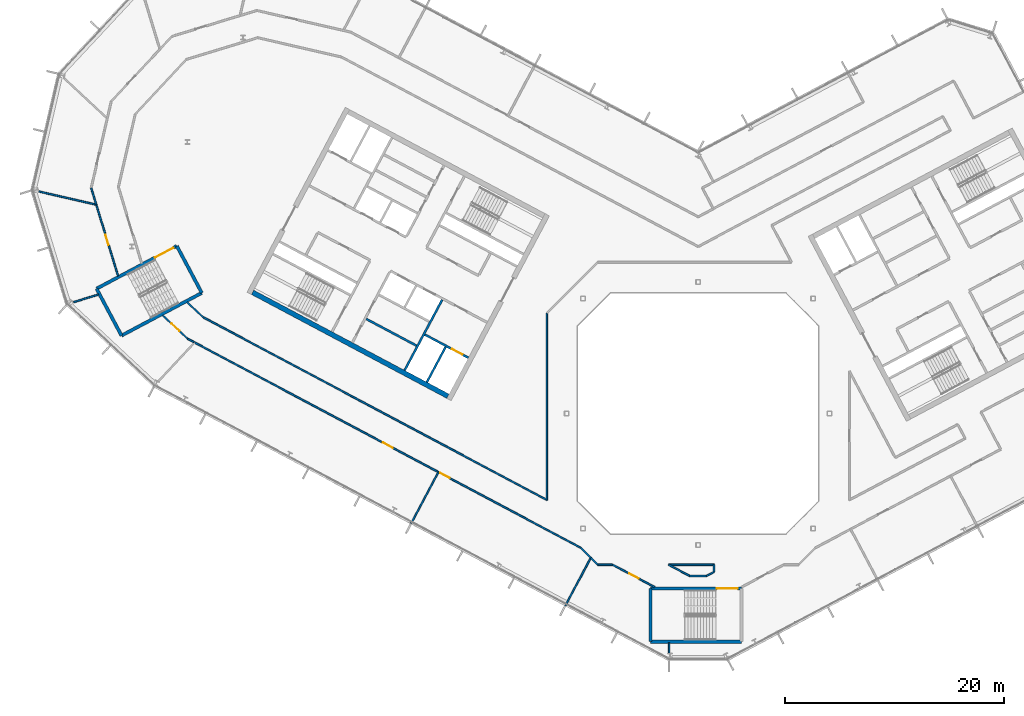
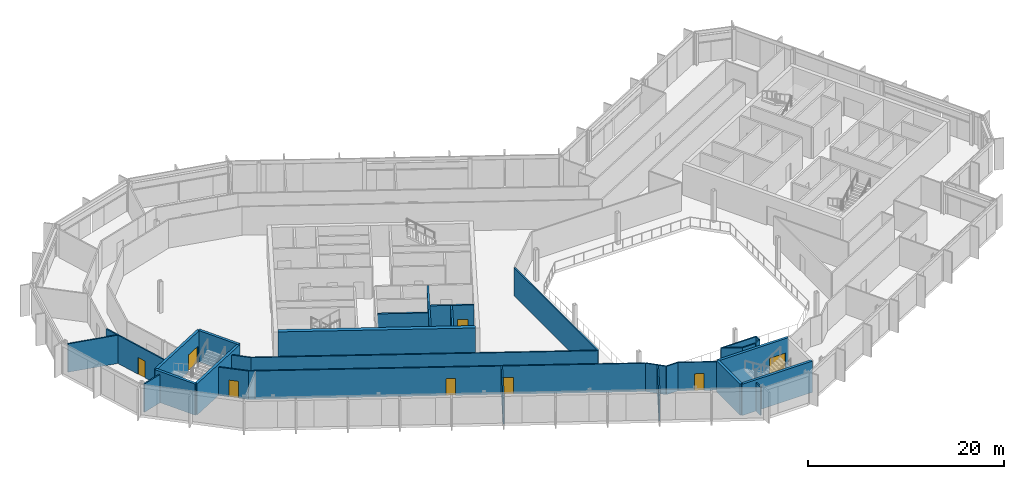
# One storey, part 13 of 26: 34 walls, 8 doors, 8 openings.
"""IFC4 building model written with IfcOpenShell, lengths in metres."""

import ifcopenshell
import ifcopenshell.guid

model = None  # the IFC model being written
_history = None  # IfcOwnerHistory: only IFC2X3 demands one
_inside = {}  # id of a spatial element -> (the spatial element, [elements in it])
_under = {}  # id of a project, library or spatial element -> (it, [spatial elements below it])
_declared = {}  # id of a project -> (the project, [libraries it declares])
_typed = {}  # id of a type object -> (the type object, [elements of that type])
_made_of = {}  # id of a material, layer set ... -> (it, [elements and type objects made of it])


def new_model(schema):
    """Start an empty IFC model of exactly this schema.

    Asked for "IFC4X3", IfcOpenShell would pick the latest addendum, in which some entities
    have other attributes; the version numbers below select the first issue.
    IFC2X3 requires an IfcOwnerHistory on every rooted entity: one is made here for all.
    """
    global model, _history
    if schema == "IFC4X3":
        model = ifcopenshell.file(schema_version=(4, 3, 0, 0))
    else:
        model = ifcopenshell.file(schema=schema)
    _inside.clear()
    _under.clear()
    _declared.clear()
    _typed.clear()
    _made_of.clear()
    _history = None
    if model.schema == "IFC2X3":
        org = make("IfcOrganization", Name="unknown")
        user = make(
            "IfcPersonAndOrganization",
            ThePerson=make("IfcPerson", FamilyName="unknown"),
            TheOrganization=org,
        )
        app = make(
            "IfcApplication",
            ApplicationDeveloper=org,
            Version="unknown",
            ApplicationFullName="unknown",
            ApplicationIdentifier="unknown",
        )
        _history = make(
            "IfcOwnerHistory",
            OwningUser=user,
            OwningApplication=app,
            ChangeAction="ADDED",
            CreationDate=0,
        )
    return model


def make(cls, **values):
    """One entity of the class cls with the attributes given. An attribute that is None is left unset."""
    return model.create_entity(
        cls, **{name: value for name, value in values.items() if value is not None}
    )


def rooted(cls, **values):
    """An entity with a GlobalId (a new one), such as an element, a storey or a relation."""
    return make(cls, GlobalId=ifcopenshell.guid.new(), OwnerHistory=_history, **values)


def si_unit(unit_type, name, prefix=None):
    """IfcSIUnit, for example si_unit("LENGTHUNIT", "METRE", prefix="MILLI")."""
    return make("IfcSIUnit", UnitType=unit_type, Prefix=prefix, Name=name)


def assignment(units):
    """IfcUnitAssignment: the units of a project."""
    return None if units is None else make("IfcUnitAssignment", Units=units)


def point(xyz):
    """IfcCartesianPoint."""
    return None if xyz is None else make("IfcCartesianPoint", Coordinates=xyz)


def direction(xyz):
    """IfcDirection."""
    return None if xyz is None else make("IfcDirection", DirectionRatios=xyz)


def frame(location, z_axis=None, x_axis=None):
    """IfcAxis2Placement3D, a coordinate frame: its origin and axes. An axis left out is left unset."""
    return make(
        "IfcAxis2Placement3D",
        Location=point(location),
        Axis=direction(z_axis),
        RefDirection=direction(x_axis),
    )


def frame_2d(location, x_axis=None):
    """IfcAxis2Placement2D, a coordinate frame in the plane: its origin and x axis."""
    return make(
        "IfcAxis2Placement2D", Location=point(location), RefDirection=direction(x_axis)
    )


def origin():
    """The frame at (0, 0, 0) with its axes left unset."""
    return frame((0.0, 0.0, 0.0))


def place(relative_to, where):
    """IfcLocalPlacement: puts the frame where relative to a parent placement (None: the world)."""
    return make(
        "IfcLocalPlacement", PlacementRelTo=relative_to, RelativePlacement=where
    )


def context(
    kind, dimensions, precision=None, world=None, true_north=None, identifier=None
):
    """IfcGeometricRepresentationContext, for example the 3D "Model" context."""
    return make(
        "IfcGeometricRepresentationContext",
        ContextIdentifier=identifier,
        ContextType=kind,
        CoordinateSpaceDimension=dimensions,
        Precision=precision,
        WorldCoordinateSystem=world,
        TrueNorth=true_north,
    )


def subcontext(parent, identifier, kind, view, scale=None):
    """IfcGeometricRepresentationSubContext, for example "Body" below "Model"."""
    return make(
        "IfcGeometricRepresentationSubContext",
        ContextIdentifier=identifier,
        ContextType=kind,
        ParentContext=parent,
        TargetScale=scale,
        TargetView=view,
    )


def project(units=None, contexts=None):
    """IfcProject with its units and contexts."""
    return rooted(
        "IfcProject",
        Name="project",
        RepresentationContexts=contexts,
        UnitsInContext=assignment(units),
    )


def spatial(cls, under=None, at=None, **own):
    """A site, building, storey or space (cls), placed at a placement, below another one or the project."""
    s = rooted(cls, ObjectPlacement=at, **own)
    if under is not None:
        _under.setdefault(under.id(), (under, []))[1].append(s)
    return s


def profile(cls, at=None, kind="AREA", **sizes):
    """A parametric profile (cls). Its sizes go by their IFC names, for example OverallWidth=200.0."""
    return make(cls, ProfileType=kind, Position=at, **sizes)


def rectangle(**sizes):
    """IfcRectangleProfileDef."""
    return profile("IfcRectangleProfileDef", **sizes)


def extrude(swept, where, along, depth):
    """IfcExtrudedAreaSolid: the profile swept, set in the frame where, extruded along a direction by depth."""
    return make(
        "IfcExtrudedAreaSolid",
        SweptArea=swept,
        Position=where,
        ExtrudedDirection=direction(along),
        Depth=depth,
    )


def shape(context_of_items, identifier, shape_type, items):
    """IfcShapeRepresentation: the items that make up one representation, for example the "Body"."""
    return make(
        "IfcShapeRepresentation",
        ContextOfItems=context_of_items,
        RepresentationIdentifier=identifier,
        RepresentationType=shape_type,
        Items=items,
    )


def material(Name=None, Category=None):
    """IfcMaterial."""
    return make("IfcMaterial", Name=Name, Category=Category)


def layer(
    of_material, thickness, ventilated=None, Name=None, Category=None, Priority=None
):
    """IfcMaterialLayer: one layer of a wall or slab, of a material (None: an air gap)."""
    return make(
        "IfcMaterialLayer",
        Material=of_material,
        LayerThickness=thickness,
        IsVentilated=ventilated,
        Name=Name,
        Category=Category,
        Priority=Priority,
    )


def layer_set(layers, Name=None):
    """IfcMaterialLayerSet."""
    return make("IfcMaterialLayerSet", MaterialLayers=layers, LayerSetName=Name)


def made_of(thing, what):
    """Note that an element or type object is made of a material, layer set ...; save() writes the relation."""
    if what is not None:
        _made_of.setdefault(what.id(), (what, []))[1].append(thing)
    return thing


def type_object(cls, material=None, **own):
    """A type object (cls), such as IfcWallType, which elements share."""
    return made_of(rooted(cls, **own), material)


def element(
    cls,
    number,
    at=None,
    inside=None,
    cuts=None,
    type_object=None,
    material=None,
    context=None,
    identifier="Body",
    shape_type=None,
    held_by="IfcProductDefinitionShape",
    body=None,
    shapes=None,
    **own,
):
    """One element of the class cls, such as IfcWall. Its Tag is "e" and its number.

    at: its placement. inside: the storey or other place that contains it. cuts: it is an
    opening in that element (IfcRelVoidsElement). A single representation is given by context,
    identifier, shape_type and body (its items); several are given by shapes. held_by: the class
    of the entity that holds the representations. save() writes the other relations.
    """
    e = rooted(cls, Tag="e%d" % number, ObjectPlacement=at, **own)
    if body is not None:
        shapes = [shape(context, identifier, shape_type, body)]
    if shapes is not None:
        e.Representation = make(held_by, Representations=shapes)
    if inside is not None:
        _inside.setdefault(inside.id(), (inside, []))[1].append(e)
    if cuts is not None:
        rooted(
            "IfcRelVoidsElement", RelatingBuildingElement=cuts, RelatedOpeningElement=e
        )
    if type_object is not None:
        _typed.setdefault(type_object.id(), (type_object, []))[1].append(e)
    return made_of(e, material)


def fill(opening, filler):
    """IfcRelFillsElement: the door or window that sits in an opening."""
    return rooted(
        "IfcRelFillsElement",
        RelatingOpeningElement=opening,
        RelatedBuildingElement=filler,
    )


def aggregate(whole, parts):
    """IfcRelAggregates: a whole, such as a stair, and the parts it consists of."""
    return rooted("IfcRelAggregates", RelatingObject=whole, RelatedObjects=parts)


def save(model, path):
    """Write the relations noted so far, then the file.

    IfcRelAggregates (storeys below a building ...), IfcRelContainedInSpatialStructure (elements
    in a storey), IfcRelDefinesByType, IfcRelAssociatesMaterial and IfcRelDeclares: one each for
    every whole, place, type object, material and project.
    """
    for whole, parts in _under.values():
        aggregate(whole, parts)
    for where, things in _inside.values():
        rooted(
            "IfcRelContainedInSpatialStructure",
            RelatedElements=things,
            RelatingStructure=where,
        )
    for kind, things in _typed.values():
        rooted("IfcRelDefinesByType", RelatedObjects=things, RelatingType=kind)
    for what, things in _made_of.values():
        rooted("IfcRelAssociatesMaterial", RelatedObjects=things, RelatingMaterial=what)
    for by, libraries in _declared.values():
        rooted("IfcRelDeclares", RelatingContext=by, RelatedDefinitions=libraries)
    model.write(path)


model = new_model("IFC4")

# Units and contexts
model_context = context("Model", 3, precision=1e-05, world=origin(), true_north=direction((0.0, 1.0)))
body_context = subcontext(model_context, "Body", "Model", "MODEL_VIEW")
ifc_project = project(units=[si_unit("LENGTHUNIT", "METRE"), si_unit("AREAUNIT", "SQUARE_METRE"), si_unit("VOLUMEUNIT", "CUBIC_METRE"), si_unit("PLANEANGLEUNIT", "RADIAN"), si_unit("MASSUNIT", "GRAM", prefix="KILO")], contexts=[model_context])

# Site, building, storey
site_placement = place(None, origin())
site = spatial("IfcSite", under=ifc_project, at=site_placement, CompositionType="ELEMENT")
building_placement = place(site_placement, origin())
building = spatial("IfcBuilding", under=site, at=building_placement, Name="Cormorant Relay Tower", CompositionType="ELEMENT")
storey_placement = place(building_placement, frame((0.0, 0.0, 312.60009765625)))
storey = spatial("IfcBuildingStorey", under=building, at=storey_placement, Name="L71", CompositionType="ELEMENT", Elevation=312.60009765625)

# Walls
ifc_material_1 = material(Name="Concrete 40 MPa", Category="concrete")
ifc_layer_1 = layer(ifc_material_1, 0.199951171875)
ifc_layer_set_1 = layer_set([ifc_layer_1], Name="Core internal wall 200")
wall_type_1 = type_object("IfcWallType", Name="Core internal wall 200", PredefinedType="SOLIDWALL", material=ifc_layer_set_1)
wall_1_placement = place(storey_placement, frame((-25.701904296875, 6.19091796875, 0.0), z_axis=(0.0, 0.0, 1.0), x_axis=(-0.882934506056, 0.469496174655, 0.0)))
element("IfcWall", 1, at=wall_1_placement, inside=storey, type_object=wall_type_1, Name="L71 core A shaft and room wall", PredefinedType="SOLIDWALL", context=body_context, shape_type="SweptSolid", body=[
    extrude(rectangle(XDim=5.199951171875, YDim=0.199951171875, at=frame_2d((2.60009765625, 0.0))), origin(), (0.0, 0.0, 1.0), 3.89990234375),
])
ifc_material_2 = material(Name="Concrete 50 MPa", Category="concrete")
ifc_layer_2 = layer(ifc_material_2, 0.199951171875)
ifc_layer_set_2 = layer_set([ifc_layer_2], Name="Core shaft wall 200")
wall_type_2 = type_object("IfcWallType", Name="Core shaft wall 200", PredefinedType="SHEAR", material=ifc_layer_set_2)
wall_2_placement = place(storey_placement, frame((-23.04296875, 6.07958984375, 0.0), z_axis=(0.0, 0.0, 1.0), x_axis=(-0.469494272526, -0.882935517501, 0.0)))
element("IfcWall", 2, at=wall_2_placement, inside=storey, type_object=wall_type_2, Name="L71 core A shaft wall", PredefinedType="SHEAR", context=body_context, shape_type="SweptSolid", body=[
    extrude(rectangle(XDim=3.64990234375, YDim=0.199951171875, at=frame_2d((1.824951171875, 0.0))), origin(), (0.0, 0.0, 1.0), 3.89990234375),
])
wall_3_placement = place(storey_placement, frame((-23.360107421875, 10.38232421875, 0.0), z_axis=(0.0, 0.0, 1.0), x_axis=(-0.469480409012, -0.88294288918, 0.0)))
element("IfcWall", 3, at=wall_3_placement, inside=storey, type_object=wall_type_2, Name="L71 core A shaft wall", PredefinedType="SHEAR", context=body_context, shape_type="SweptSolid", body=[
    extrude(rectangle(XDim=7.300048828125, YDim=0.199951171875, at=frame_2d((3.64990234375, 0.0))), origin(), (0.0, 0.0, 1.0), 3.89990234375),
])

# Wall, opening, door
wall_4_placement = place(storey_placement, frame((-20.96533203125, 5.088134765625, 0.0), z_axis=(0.0, 0.0, 1.0), x_axis=(-0.882925986334, 0.469512196493, 0.0)))
wall_4 = element("IfcWall", 4, at=wall_4_placement, inside=storey, type_object=wall_type_2, Name="L71 core A shaft wall", PredefinedType="SHEAR", context=body_context, shape_type="SweptSolid", body=[
    extrude(rectangle(XDim=4.5, YDim=0.199951171875, at=frame_2d((2.25, 0.0))), origin(), (0.0, 0.0, 1.0), 3.89990234375),
])
opening_1_placement = place(wall_4_placement, frame((0.60009765625, 0.0, 0.0)))
opening_1 = element("IfcOpeningElement", 5, at=opening_1_placement, cuts=wall_4, Name="Opening LD1-063", PredefinedType="OPENING", context=body_context, shape_type="SweptSolid", body=[
    extrude(rectangle(XDim=1.10009765625, YDim=2.10009765625, at=frame_2d((0.550048828125, 1.050048828125))), frame((0.0, 0.10986328125, 0.0), z_axis=(0.0, -1.0, 0.0), x_axis=(1.0, 0.0, 0.0)), (0.0, 0.0, 1.0), 0.219970703125),
])
ifc_material_3 = material(Name="Stainless steel 316", Category="steel")
door_type_1 = type_object("IfcDoorType", Name="Lift landing door 1100x2100", OperationType="DOUBLE_DOOR_SLIDING", PredefinedType="DOOR", material=ifc_material_3)
door_1_placement = place(opening_1_placement, origin())
door_1 = element("IfcDoor", 6, at=door_1_placement, inside=storey, type_object=door_type_1, Name="FF1 landing door", OperationType="DOUBLE_DOOR_SLIDING", OverallHeight=2.10009765625, OverallWidth=1.10009765625, PredefinedType="DOOR", context=body_context, shape_type="SweptSolid", body=[
    extrude(rectangle(XDim=1.10009765625, YDim=2.10009765625, at=frame_2d((0.550048828125, 1.050048828125))), frame((0.0, 0.02490234375, 0.0), z_axis=(0.0, -1.0, 0.0), x_axis=(1.0, 0.0, 0.0)), (0.0, 0.0, 1.0), 0.050048828125),
])
fill(opening_1, door_1)

# Walls
ifc_material_4 = material(Name="Concrete 50 MPa", Category="concrete")
ifc_layer_3 = layer(ifc_material_4, 0.449951171875)
ifc_layer_set_3 = layer_set([ifc_layer_3], Name="Core wall 450")
wall_type_3 = type_object("IfcWallType", Name="Core wall 450", PredefinedType="SHEAR", material=ifc_layer_set_3)
wall_5_placement = place(storey_placement, frame((-22.83154296875, 1.578369140625, 0.0), z_axis=(0.0, 0.0, 1.0), x_axis=(-0.88294509198, 0.469476266226, 0.0)))
element("IfcWall", 7, at=wall_5_placement, inside=storey, type_object=wall_type_3, Name="L71 core A wall", PredefinedType="SHEAR", context=body_context, shape_type="SweptSolid", body=[
    extrude(rectangle(XDim=20.199951171875, YDim=0.449951171875, at=frame_2d((10.10009765625, 0.0))), origin(), (0.0, 0.0, 1.0), 3.89990234375),
])
ifc_material_5 = material(Name="Gypsum board fire partition")
ifc_layer_4 = layer(ifc_material_5, 0.14990234375)
ifc_layer_set_4 = layer_set([ifc_layer_4], Name="Corridor partition 150 EI 60")
wall_type_4 = type_object("IfcWallType", Name="Corridor partition 150 EI 60", PredefinedType="PARTITIONING", material=ifc_layer_set_4)
wall_6_placement = place(storey_placement, frame((-55.39111328125, 20.580078125, 0.0), z_axis=(0.0, 0.0, 1.0), x_axis=(0.292001611979, -0.956417826372, 0.0)))
element("IfcWall", 8, at=wall_6_placement, inside=storey, type_object=wall_type_4, Name="wall/L71/part/004", PredefinedType="PARTITIONING", context=body_context, shape_type="SweptSolid", body=[
    extrude(rectangle(XDim=1.57275390625, YDim=0.14990234375, at=frame_2d((0.786376953125, 0.0))), origin(), (0.0, 0.0, 1.0), 3.539794921875),
])

# Wall, opening, door
wall_7_placement = place(storey_placement, frame((-52.93701171875, 12.552001953125, 0.0), z_axis=(0.0, 0.0, 1.0), x_axis=(-0.292413096036, 0.956292100389, 0.0)))
wall_7 = element("IfcWall", 9, at=wall_7_placement, inside=storey, type_object=wall_type_4, Name="wall/L71/part/006", PredefinedType="PARTITIONING", context=body_context, shape_type="SweptSolid", body=[
    extrude(rectangle(XDim=6.822021484375, YDim=0.14990234375, at=frame_2d((3.4111328125, 0.0))), origin(), (0.0, 0.0, 1.0), 3.539794921875),
])
opening_2_placement = place(wall_7_placement, frame((2.949951171875, 0.0, 0.0)))
opening_2 = element("IfcOpeningElement", 10, at=opening_2_placement, cuts=wall_7, Name="Opening DS-253", PredefinedType="OPENING", context=body_context, shape_type="SweptSolid", body=[
    extrude(rectangle(XDim=1.0, YDim=2.10009765625, at=frame_2d((0.5, 1.050048828125))), frame((0.0, 0.0849609375, 0.0), z_axis=(0.0, -1.0, 0.0), x_axis=(1.0, 0.0, 0.0)), (0.0, 0.0, 1.0), 0.169921875),
])
ifc_material_6 = material(Name="Timber door leaf", Category="wood")
door_type_2 = type_object("IfcDoorType", Name="Suite door 1000x2100", OperationType="SINGLE_SWING_LEFT", PredefinedType="DOOR", material=ifc_material_6)
door_2_placement = place(opening_2_placement, origin())
door_2 = element("IfcDoor", 11, at=door_2_placement, inside=storey, type_object=door_type_2, Name="door/L71/012", OperationType="SINGLE_SWING_LEFT", OverallHeight=2.10009765625, OverallWidth=1.0, PredefinedType="DOOR", context=body_context, shape_type="SweptSolid", body=[
    extrude(rectangle(XDim=1.0, YDim=2.10009765625, at=frame_2d((0.5, 1.050048828125))), frame((0.0, 0.02490234375, 0.0), z_axis=(0.0, -1.0, 0.0), x_axis=(1.0, 0.0, 0.0)), (0.0, 0.0, 1.0), 0.050048828125),
])
fill(opening_2, door_2)

# Walls
wall_8_placement = place(storey_placement, frame((-13.800048828125, 9.159912109375, 0.0), z_axis=(0.0, 0.0, 1.0), x_axis=(0.0, -1.0, 0.0)))
element("IfcWall", 12, at=wall_8_placement, inside=storey, type_object=wall_type_4, Name="wall/L71/part/023", PredefinedType="PARTITIONING", context=body_context, shape_type="SweptSolid", body=[
    extrude(rectangle(XDim=17.054931640625, YDim=0.14990234375, at=frame_2d((8.52734375, 0.0))), origin(), (0.0, 0.0, 1.0), 3.539794921875),
])
wall_9_placement = place(storey_placement, frame((-13.800048828125, -7.89501953125, 0.0), z_axis=(0.0, 0.0, 1.0), x_axis=(-0.882949728524, 0.469467546161, 0.0)))
element("IfcWall", 13, at=wall_9_placement, inside=storey, type_object=wall_type_4, Name="wall/L71/part/024", PredefinedType="PARTITIONING", context=body_context, shape_type="SweptSolid", body=[
    extrude(rectangle(XDim=35.52734375, YDim=0.14990234375, at=frame_2d((17.763671875, 0.0))), origin(), (0.0, 0.0, 1.0), 3.539794921875),
])
wall_10_placement = place(storey_placement, frame((-45.1689453125, 8.783935546875, 0.0), z_axis=(0.0, 0.0, 1.0), x_axis=(-0.731546653506, 0.681791385795, 0.0)))
element("IfcWall", 14, at=wall_10_placement, inside=storey, type_object=wall_type_4, Name="wall/L71/part/025", PredefinedType="PARTITIONING", context=body_context, shape_type="SweptSolid", body=[
    extrude(rectangle(XDim=2.031494140625, YDim=0.14990234375, at=frame_2d((1.015625, 0.0))), origin(), (0.0, 0.0, 1.0), 3.539794921875),
])
wall_11_placement = place(storey_placement, frame((-45.9970703125, 6.506103515625, 0.0), z_axis=(0.0, 0.0, 1.0), x_axis=(-0.883188174281, 0.469018814986, 0.0)))
element("IfcWall", 15, at=wall_11_placement, inside=storey, type_object=wall_type_4, Name="wall/L71/part/031", PredefinedType="PARTITIONING", context=body_context, shape_type="SweptSolid", body=[
    extrude(rectangle(XDim=0.654296875, YDim=0.14990234375, at=frame_2d((0.3271484375, 0.0))), origin(), (0.0, 0.0, 1.0), 3.539794921875),
])

# Wall, opening, door
wall_12_placement = place(storey_placement, frame((-46.574951171875, 6.81298828125, 0.0), z_axis=(0.0, 0.0, 1.0), x_axis=(-0.731111550609, 0.682257942839, 0.0)))
wall_12 = element("IfcWall", 16, at=wall_12_placement, inside=storey, type_object=wall_type_4, Name="wall/L71/part/032", PredefinedType="PARTITIONING", context=body_context, shape_type="SweptSolid", body=[
    extrude(rectangle(XDim=3.17333984375, YDim=0.14990234375, at=frame_2d((1.586669921875, 0.0))), origin(), (0.0, 0.0, 1.0), 3.539794921875),
])
opening_3_placement = place(wall_12_placement, frame((1.050048828125, 0.0, 0.0)))
opening_3 = element("IfcOpeningElement", 17, at=opening_3_placement, cuts=wall_12, Name="Opening DS-254", PredefinedType="OPENING", context=body_context, shape_type="SweptSolid", body=[
    extrude(rectangle(XDim=1.0, YDim=2.10009765625, at=frame_2d((0.5, 1.050048828125))), frame((0.0, 0.0849609375, 0.0), z_axis=(0.0, -1.0, 0.0), x_axis=(1.0, 0.0, 0.0)), (0.0, 0.0, 1.0), 0.169921875),
])
door_3_placement = place(opening_3_placement, origin())
door_3 = element("IfcDoor", 18, at=door_3_placement, inside=storey, type_object=door_type_2, Name="door/L71/013", OperationType="SINGLE_SWING_RIGHT", OverallHeight=2.10009765625, OverallWidth=1.0, PredefinedType="DOOR", context=body_context, shape_type="SweptSolid", body=[
    extrude(rectangle(XDim=1.0, YDim=2.10009765625, at=frame_2d((0.5, 1.050048828125))), frame((0.0, 0.02490234375, 0.0), z_axis=(0.0, -1.0, 0.0), x_axis=(1.0, 0.0, 0.0)), (0.0, 0.0, 1.0), 0.050048828125),
])
fill(opening_3, door_3)

# Wall, openings, doors
wall_13_placement = place(storey_placement, frame((-10.695068359375, -12.263916015625, 0.0), z_axis=(0.0, 0.0, 1.0), x_axis=(-0.882951614076, 0.469463999899, 0.0)))
wall_13 = element("IfcWall", 19, at=wall_13_placement, inside=storey, type_object=wall_type_4, Name="wall/L71/part/033", PredefinedType="PARTITIONING", context=body_context, shape_type="SweptSolid", body=[
    extrude(rectangle(XDim=39.981689453125, YDim=0.14990234375, at=frame_2d((19.99072265625, 0.0))), origin(), (0.0, 0.0, 1.0), 3.539794921875),
])
opening_4_placement = place(wall_13_placement, frame((19.449951171875, 0.0, 0.0)))
opening_4 = element("IfcOpeningElement", 20, at=opening_4_placement, cuts=wall_13, Name="Opening DS-255", PredefinedType="OPENING", context=body_context, shape_type="SweptSolid", body=[
    extrude(rectangle(XDim=1.0, YDim=2.10009765625, at=frame_2d((0.5, 1.050048828125))), frame((0.0, 0.0849609375, 0.0), z_axis=(0.0, -1.0, 0.0), x_axis=(1.0, 0.0, 0.0)), (0.0, 0.0, 1.0), 0.169921875),
])
opening_5_placement = place(wall_13_placement, frame((13.550048828125, 0.0, 0.0)))
opening_5 = element("IfcOpeningElement", 21, at=opening_5_placement, cuts=wall_13, Name="Opening DS-256", PredefinedType="OPENING", context=body_context, shape_type="SweptSolid", body=[
    extrude(rectangle(XDim=1.0, YDim=2.10009765625, at=frame_2d((0.5, 1.050048828125))), frame((0.0, 0.0849609375, 0.0), z_axis=(0.0, -1.0, 0.0), x_axis=(1.0, 0.0, 0.0)), (0.0, 0.0, 1.0), 0.169921875),
])
door_4_placement = place(opening_4_placement, origin())
door_4 = element("IfcDoor", 22, at=door_4_placement, inside=storey, type_object=door_type_2, Name="door/L71/014", OperationType="SINGLE_SWING_LEFT", OverallHeight=2.10009765625, OverallWidth=1.0, PredefinedType="DOOR", context=body_context, shape_type="SweptSolid", body=[
    extrude(rectangle(XDim=1.0, YDim=2.10009765625, at=frame_2d((0.5, 1.050048828125))), frame((0.0, 0.02490234375, 0.0), z_axis=(0.0, -1.0, 0.0), x_axis=(1.0, 0.0, 0.0)), (0.0, 0.0, 1.0), 0.050048828125),
])
fill(opening_4, door_4)
door_5_placement = place(opening_5_placement, origin())
door_5 = element("IfcDoor", 23, at=door_5_placement, inside=storey, type_object=door_type_2, Name="door/L71/015", OperationType="SINGLE_SWING_RIGHT", OverallHeight=2.10009765625, OverallWidth=1.0, PredefinedType="DOOR", context=body_context, shape_type="SweptSolid", body=[
    extrude(rectangle(XDim=1.0, YDim=2.10009765625, at=frame_2d((0.5, 1.050048828125))), frame((0.0, 0.02490234375, 0.0), z_axis=(0.0, -1.0, 0.0), x_axis=(1.0, 0.0, 0.0)), (0.0, 0.0, 1.0), 0.050048828125),
])
fill(opening_5, door_5)

# Walls
wall_14_placement = place(storey_placement, frame((-9.784912109375, -13.175048828125, 0.0), z_axis=(0.0, 0.0, 1.0), x_axis=(-0.706727533866, 0.707485825212, 0.0)))
element("IfcWall", 24, at=wall_14_placement, inside=storey, type_object=wall_type_4, Name="wall/L71/part/045", PredefinedType="PARTITIONING", context=body_context, shape_type="SweptSolid", body=[
    extrude(rectangle(XDim=1.287841796875, YDim=0.14990234375, at=frame_2d((0.64404296875, 0.0))), origin(), (0.0, 0.0, 1.0), 3.539794921875),
])
wall_15_placement = place(storey_placement, frame((-7.827880859375, -13.800048828125, 0.0), z_axis=(0.0, 0.0, 1.0), x_axis=(-1.0, 0.0, 0.0)))
element("IfcWall", 25, at=wall_15_placement, inside=storey, type_object=wall_type_4, Name="wall/L71/part/046", PredefinedType="PARTITIONING", context=body_context, shape_type="SweptSolid", body=[
    extrude(rectangle(XDim=1.33203125, YDim=0.14990234375, at=frame_2d((0.666015625, 0.0))), origin(), (0.0, 0.0, 1.0), 3.539794921875),
])
wall_16_placement = place(storey_placement, frame((-9.159912109375, -13.800048828125, 0.0), z_axis=(0.0, 0.0, 1.0), x_axis=(-0.707106781187, 0.707106781187, 0.0)))
element("IfcWall", 26, at=wall_16_placement, inside=storey, type_object=wall_type_4, Name="wall/L71/part/047", PredefinedType="PARTITIONING", context=body_context, shape_type="SweptSolid", body=[
    extrude(rectangle(XDim=0.8837890625, YDim=0.14990234375, at=frame_2d((0.44189453125, 0.0))), origin(), (0.0, 0.0, 1.0), 3.539794921875),
])

# Wall, opening, door
wall_17_placement = place(storey_placement, frame((-3.955078125, -15.847900390625, 0.0), z_axis=(0.0, 0.0, 1.0), x_axis=(-0.882965680306, 0.469437543665, 0.0)))
wall_17 = element("IfcWall", 27, at=wall_17_placement, inside=storey, type_object=wall_type_4, Name="wall/L71/part/048", PredefinedType="PARTITIONING", context=body_context, shape_type="SweptSolid", body=[
    extrude(rectangle(XDim=4.3623046875, YDim=0.14990234375, at=frame_2d((2.18115234375, 0.0))), origin(), (0.0, 0.0, 1.0), 3.539794921875),
])
opening_6_placement = place(wall_17_placement, frame((1.64990234375, 0.0, 0.0)))
opening_6 = element("IfcOpeningElement", 28, at=opening_6_placement, cuts=wall_17, Name="Opening DS-257", PredefinedType="OPENING", context=body_context, shape_type="SweptSolid", body=[
    extrude(rectangle(XDim=1.0, YDim=2.10009765625, at=frame_2d((0.5, 1.050048828125))), frame((0.0, 0.0849609375, 0.0), z_axis=(0.0, -1.0, 0.0), x_axis=(1.0, 0.0, 0.0)), (0.0, 0.0, 1.0), 0.169921875),
])
door_6_placement = place(opening_6_placement, origin())
door_6 = element("IfcDoor", 29, at=door_6_placement, inside=storey, type_object=door_type_2, Name="door/L71/016", OperationType="SINGLE_SWING_LEFT", OverallHeight=2.10009765625, OverallWidth=1.0, PredefinedType="DOOR", context=body_context, shape_type="SweptSolid", body=[
    extrude(rectangle(XDim=1.0, YDim=2.10009765625, at=frame_2d((0.5, 1.050048828125))), frame((0.0, 0.02490234375, 0.0), z_axis=(0.0, -1.0, 0.0), x_axis=(1.0, 0.0, 0.0)), (0.0, 0.0, 1.0), 0.050048828125),
])
fill(opening_6, door_6)

# Walls
wall_18_placement = place(storey_placement, frame((-0.76611328125, -14.825927734375, 0.0), z_axis=(0.0, 0.0, 1.0), x_axis=(1.0, 0.0, 0.0)))
element("IfcWall", 30, at=wall_18_placement, inside=storey, type_object=wall_type_4, Name="wall/L71/part/067", PredefinedType="PARTITIONING", context=body_context, shape_type="SweptSolid", body=[
    extrude(rectangle(XDim=1.5322265625, YDim=0.14990234375, at=frame_2d((0.76611328125, 0.0))), origin(), (0.0, 0.0, 1.0), 3.539794921875),
])
wall_19_placement = place(storey_placement, frame((0.76611328125, -14.825927734375, 0.0), z_axis=(0.0, 0.0, 1.0), x_axis=(0.882727784354, 0.469884729194, 0.0)))
element("IfcWall", 31, at=wall_19_placement, inside=storey, type_object=wall_type_4, Name="wall/L71/part/068", PredefinedType="PARTITIONING", context=body_context, shape_type="SweptSolid", body=[
    extrude(rectangle(XDim=0.774658203125, YDim=0.14990234375, at=frame_2d((0.38720703125, 0.0))), origin(), (0.0, 0.0, 1.0), 3.539794921875),
])
wall_20_placement = place(storey_placement, frame((1.449951171875, -14.4619140625, 0.0), z_axis=(0.0, 0.0, 1.0), x_axis=(0.0, 1.0, 0.0)))
element("IfcWall", 32, at=wall_20_placement, inside=storey, type_object=wall_type_4, Name="wall/L71/part/069", PredefinedType="PARTITIONING", context=body_context, shape_type="SweptSolid", body=[
    extrude(rectangle(XDim=0.661865234375, YDim=0.14990234375, at=frame_2d((0.3310546875, 0.0))), origin(), (0.0, 0.0, 1.0), 3.539794921875),
])
wall_21_placement = place(storey_placement, frame((1.449951171875, -13.800048828125, 0.0), z_axis=(0.0, 0.0, 1.0), x_axis=(-1.0, 0.0, 0.0)))
element("IfcWall", 33, at=wall_21_placement, inside=storey, type_object=wall_type_4, Name="wall/L71/part/070", PredefinedType="PARTITIONING", context=body_context, shape_type="SweptSolid", body=[
    extrude(rectangle(XDim=4.14501953125, YDim=0.14990234375, at=frame_2d((2.072509765625, 0.0))), origin(), (0.0, 0.0, 1.0), 3.539794921875),
])
wall_22_placement = place(storey_placement, frame((-2.695068359375, -13.800048828125, 0.0), z_axis=(0.0, 0.0, 1.0), x_axis=(0.882902945881, -0.469555521908, 0.0)))
element("IfcWall", 34, at=wall_22_placement, inside=storey, type_object=wall_type_4, Name="wall/L71/part/071", PredefinedType="PARTITIONING", context=body_context, shape_type="SweptSolid", body=[
    extrude(rectangle(XDim=2.184814453125, YDim=0.14990234375, at=frame_2d((1.09228515625, 0.0))), origin(), (0.0, 0.0, 1.0), 3.539794921875),
])
ifc_material_7 = material(Name="Concrete 50 MPa", Category="concrete")
ifc_layer_5 = layer(ifc_material_7, 0.300048828125)
ifc_layer_set_5 = layer_set([ifc_layer_5], Name="Remote stair wall 300")
wall_type_5 = type_object("IfcWallType", Name="Remote stair wall 300", PredefinedType="SHEAR", material=ifc_layer_set_5)
wall_23_placement = place(storey_placement, frame((3.949951171875, -20.824951171875, 0.0), z_axis=(0.0, 0.0, 1.0), x_axis=(-1.0, 0.0, 0.0)))
element("IfcWall", 35, at=wall_23_placement, inside=storey, type_object=wall_type_5, Name="L71 exit stair RK1 wall", PredefinedType="SHEAR", context=body_context, shape_type="SweptSolid", body=[
    extrude(rectangle(XDim=8.300048828125, YDim=0.300048828125, at=frame_2d((4.14990234375, 0.0))), origin(), (0.0, 0.0, 1.0), 3.89990234375),
])
wall_24_placement = place(storey_placement, frame((-4.35009765625, -20.824951171875, 0.0), z_axis=(0.0, 0.0, 1.0), x_axis=(0.0, 1.0, 0.0)))
element("IfcWall", 36, at=wall_24_placement, inside=storey, type_object=wall_type_5, Name="L71 exit stair RK1 wall", PredefinedType="SHEAR", context=body_context, shape_type="SweptSolid", body=[
    extrude(rectangle(XDim=4.849853515625, YDim=0.300048828125, at=frame_2d((2.4248046875, 0.0))), origin(), (0.0, 0.0, 1.0), 3.89990234375),
])

# Wall, opening, door
wall_25_placement = place(storey_placement, frame((-4.35009765625, -15.97509765625, 0.0), z_axis=(0.0, 0.0, 1.0), x_axis=(1.0, 0.0, 0.0)))
wall_25 = element("IfcWall", 37, at=wall_25_placement, inside=storey, type_object=wall_type_5, Name="L71 exit stair RK1 wall", PredefinedType="SHEAR", context=body_context, shape_type="SweptSolid", body=[
    extrude(rectangle(XDim=8.300048828125, YDim=0.300048828125, at=frame_2d((4.14990234375, 0.0))), origin(), (0.0, 0.0, 1.0), 3.89990234375),
])
opening_7_placement = place(wall_25_placement, frame((6.050048828125, 0.0, 0.0)))
opening_7 = element("IfcOpeningElement", 38, at=opening_7_placement, cuts=wall_25, Name="Opening CDE-014", PredefinedType="OPENING", context=body_context, shape_type="SweptSolid", body=[
    extrude(rectangle(XDim=1.89990234375, YDim=2.10009765625, at=frame_2d((0.949951171875, 1.050048828125))), frame((0.0, 0.159912109375, 0.0), z_axis=(0.0, -1.0, 0.0), x_axis=(1.0, 0.0, 0.0)), (0.0, 0.0, 1.0), 0.320068359375),
])
ifc_material_8 = material(Name="Steel fire door", Category="steel")
door_type_3 = type_object("IfcDoorType", Name="Remote stair door 1900x2100", OperationType="DOUBLE_DOOR_SINGLE_SWING", PredefinedType="DOOR", material=ifc_material_8)
door_7_placement = place(opening_7_placement, frame((1.89990234375, 0.0, 0.0), z_axis=(0.0, 0.0, 1.0), x_axis=(-1.0, 0.0, 0.0)))
door_7 = element("IfcDoor", 39, at=door_7_placement, inside=storey, type_object=door_type_3, Name="Exit stair RK1 door", OperationType="DOUBLE_DOOR_SINGLE_SWING", OverallHeight=2.10009765625, OverallWidth=1.89990234375, PredefinedType="DOOR", context=body_context, shape_type="SweptSolid", body=[
    extrude(rectangle(XDim=1.89990234375, YDim=2.10009765625, at=frame_2d((0.949951171875, 1.050048828125))), frame((0.0, 0.02490234375, 0.0), z_axis=(0.0, -1.0, 0.0), x_axis=(1.0, 0.0, 0.0)), (0.0, 0.0, 1.0), 0.050048828125),
])
fill(opening_7, door_7)

# Walls
wall_26_placement = place(storey_placement, frame((-47.57421875, 15.28955078125, 0.0), z_axis=(0.0, 0.0, 1.0), x_axis=(0.469443498566, -0.882962514297, 0.0)))
element("IfcWall", 40, at=wall_26_placement, inside=storey, type_object=wall_type_5, Name="L71 exit stair RP1 wall", PredefinedType="SHEAR", context=body_context, shape_type="SweptSolid", body=[
    extrude(rectangle(XDim=4.85009765625, YDim=0.300048828125, at=frame_2d((2.425048828125, 0.0))), origin(), (0.0, 0.0, 1.0), 3.89990234375),
])
wall_27_placement = place(storey_placement, frame((-45.29736328125, 11.007080078125, 0.0), z_axis=(0.0, 0.0, 1.0), x_axis=(-0.882951519127, -0.469464178475, 0.0)))
element("IfcWall", 41, at=wall_27_placement, inside=storey, type_object=wall_type_5, Name="L71 exit stair RP1 wall", PredefinedType="SHEAR", context=body_context, shape_type="SweptSolid", body=[
    extrude(rectangle(XDim=8.2998046875, YDim=0.300048828125, at=frame_2d((4.14990234375, 0.0))), origin(), (0.0, 0.0, 1.0), 3.89990234375),
])
wall_28_placement = place(storey_placement, frame((-52.625732421875, 7.110595703125, 0.0), z_axis=(0.0, 0.0, 1.0), x_axis=(-0.469464364128, 0.882951420416, 0.0)))
element("IfcWall", 42, at=wall_28_placement, inside=storey, type_object=wall_type_5, Name="L71 exit stair RP1 wall", PredefinedType="SHEAR", context=body_context, shape_type="SweptSolid", body=[
    extrude(rectangle(XDim=4.849853515625, YDim=0.300048828125, at=frame_2d((2.4248046875, 0.0))), origin(), (0.0, 0.0, 1.0), 3.89990234375),
])

# Wall, opening, door
wall_29_placement = place(storey_placement, frame((-54.902587890625, 11.392822265625, 0.0), z_axis=(0.0, 0.0, 1.0), x_axis=(0.882939326045, 0.469487110071, 0.0)))
wall_29 = element("IfcWall", 43, at=wall_29_placement, inside=storey, type_object=wall_type_5, Name="L71 exit stair RP1 wall", PredefinedType="SHEAR", context=body_context, shape_type="SweptSolid", body=[
    extrude(rectangle(XDim=8.300048828125, YDim=0.300048828125, at=frame_2d((4.14990234375, 0.0))), origin(), (0.0, 0.0, 1.0), 3.89990234375),
])
opening_8_placement = place(wall_29_placement, frame((6.050048828125, 0.0, 0.0)))
opening_8 = element("IfcOpeningElement", 44, at=opening_8_placement, cuts=wall_29, Name="Opening CDE-015", PredefinedType="OPENING", context=body_context, shape_type="SweptSolid", body=[
    extrude(rectangle(XDim=1.89990234375, YDim=2.10009765625, at=frame_2d((0.949951171875, 1.050048828125))), frame((0.0, 0.159912109375, 0.0), z_axis=(0.0, -1.0, 0.0), x_axis=(1.0, 0.0, 0.0)), (0.0, 0.0, 1.0), 0.320068359375),
])
door_8_placement = place(opening_8_placement, frame((1.89990234375, 0.0, 0.0), z_axis=(0.0, 0.0, 1.0), x_axis=(-1.0, 0.0, 0.0)))
door_8 = element("IfcDoor", 45, at=door_8_placement, inside=storey, type_object=door_type_3, Name="Exit stair RP1 door", OperationType="DOUBLE_DOOR_SINGLE_SWING", OverallHeight=2.10009765625, OverallWidth=1.89990234375, PredefinedType="DOOR", context=body_context, shape_type="SweptSolid", body=[
    extrude(rectangle(XDim=1.89990234375, YDim=2.10009765625, at=frame_2d((0.949951171875, 1.050048828125))), frame((0.0, 0.02490234375, 0.0), z_axis=(0.0, -1.0, 0.0), x_axis=(1.0, 0.0, 0.0)), (0.0, 0.0, 1.0), 0.050048828125),
])
fill(opening_8, door_8)

# Walls
ifc_material_9 = material(Name="Gypsum board partition")
ifc_layer_6 = layer(ifc_material_9, 0.14990234375)
ifc_layer_set_6 = layer_set([ifc_layer_6], Name="Tenant partition 150")
wall_type_6 = type_object("IfcWallType", Name="Tenant partition 150", PredefinedType="PARTITIONING", material=ifc_layer_set_6)
wall_30_placement = place(storey_placement, frame((-54.926025390625, 19.055908203125, 0.0), z_axis=(0.0, 0.0, 1.0), x_axis=(-0.974353783865, 0.225021563117, 0.0)))
element("IfcWall", 46, at=wall_30_placement, inside=storey, type_object=wall_type_6, Name="wall/L71/part/001", PredefinedType="PARTITIONING", context=body_context, shape_type="SweptSolid", body=[
    extrude(rectangle(XDim=5.39111328125, YDim=0.14990234375, at=frame_2d((2.695556640625, 0.0))), origin(), (0.0, 0.0, 1.0), 3.539794921875),
])
wall_31_placement = place(storey_placement, frame((-54.73193359375, 10.85693359375, 0.0), z_axis=(0.0, 0.0, 1.0), x_axis=(-0.956231519395, -0.292611143525, 0.0)))
element("IfcWall", 47, at=wall_31_placement, inside=storey, type_object=wall_type_6, Name="wall/L71/part/003", PredefinedType="PARTITIONING", context=body_context, shape_type="SweptSolid", body=[
    extrude(rectangle(XDim=2.385498046875, YDim=0.14990234375, at=frame_2d((1.19287109375, 0.0))), origin(), (0.0, 0.0, 1.0), 3.539794921875),
])
wall_32_placement = place(storey_placement, frame((-23.701904296875, -5.347900390625, 0.0), z_axis=(0.0, 0.0, 1.0), x_axis=(-0.469522163358, -0.882920686198, 0.0)))
element("IfcWall", 48, at=wall_32_placement, inside=storey, type_object=wall_type_6, Name="wall/L71/part/028", PredefinedType="PARTITIONING", context=body_context, shape_type="SweptSolid", body=[
    extrude(rectangle(XDim=5.3505859375, YDim=0.14990234375, at=frame_2d((2.67529296875, 0.0))), origin(), (0.0, 0.0, 1.0), 3.539794921875),
])
wall_33_placement = place(storey_placement, frame((-9.7939453125, -13.1650390625, 0.0), z_axis=(0.0, 0.0, 1.0), x_axis=(-0.469669090987, -0.882842536906, 0.0)))
element("IfcWall", 49, at=wall_33_placement, inside=storey, type_object=wall_type_6, Name="wall/L71/part/044", PredefinedType="PARTITIONING", context=body_context, shape_type="SweptSolid", body=[
    extrude(rectangle(XDim=4.978271484375, YDim=0.14990234375, at=frame_2d((2.4892578125, 0.0))), origin(), (0.0, 0.0, 1.0), 3.539794921875),
])
wall_34_placement = place(storey_placement, frame((-2.64892578125, -20.925048828125, 0.0), z_axis=(0.0, 0.0, 1.0), x_axis=(0.0, -1.0, 0.0)))
element("IfcWall", 50, at=wall_34_placement, inside=storey, type_object=wall_type_6, Name="wall/L71/part/049", PredefinedType="PARTITIONING", context=body_context, shape_type="SweptSolid", body=[
    extrude(rectangle(XDim=0.966064453125, YDim=0.14990234375, at=frame_2d((0.48291015625, 0.0))), origin(), (0.0, 0.0, 1.0), 3.539794921875),
])

save(model, "model.ifc")
